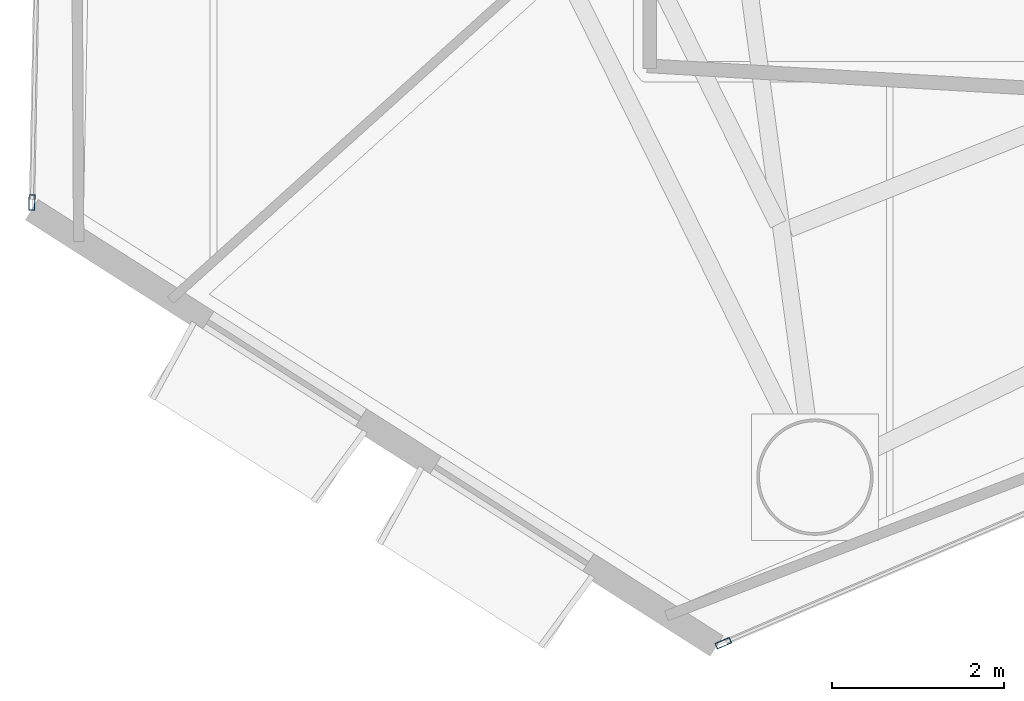
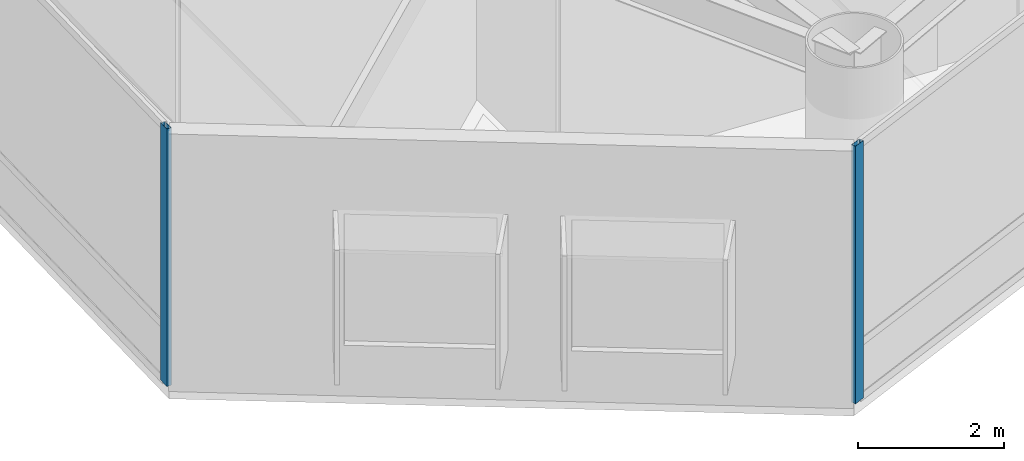
# One storey, part 2 of 21: 2 members, 2 elements without a shape of their own.
"""IFC4 building model written with IfcOpenShell, lengths in metres."""

from ifc_helpers import new_model, si_unit, direction, frame, origin, origin_2d, place, context, subcontext, project, spatial, hollow_rectangle, extrude, material, layer, layer_set, material_profile, profile_set, type_object, element, aggregate, save


model = new_model("IFC4")

# Units and contexts
model_context = context("Model", 3, precision=1e-05, world=origin(), true_north=direction((0.0, 1.0)))
body_context = subcontext(model_context, "Body", "Model", "MODEL_VIEW")
ifc_project = project(units=[si_unit("LENGTHUNIT", "METRE"), si_unit("AREAUNIT", "SQUARE_METRE"), si_unit("VOLUMEUNIT", "CUBIC_METRE"), si_unit("PLANEANGLEUNIT", "RADIAN"), si_unit("MASSUNIT", "GRAM", prefix="KILO")], contexts=[model_context])

# Site, building, storey
site_placement = place(None, origin())
site = spatial("IfcSite", under=ifc_project, at=site_placement, CompositionType="ELEMENT")
building_placement = place(site_placement, origin())
building = spatial("IfcBuilding", under=site, at=building_placement, Name="Qianvela Tower", CompositionType="ELEMENT")
storey_placement = place(building_placement, frame((0.0, 0.0, 143.10009765625)))
storey = spatial("IfcBuildingStorey", under=building, at=storey_placement, Name="L36", CompositionType="ELEMENT", Elevation=143.10009765625)

# Curtain wall, member
ifc_material_1 = material(Name="Anodised Architectural Aluminium and Low-E Glass", Category="aluminium")
ifc_layer = layer(ifc_material_1, 0.18994140625)
ifc_layer_set = layer_set([ifc_layer], Name="Anodised Architectural Aluminium and Low-E Glass")
curtain_wall_type = type_object("IfcCurtainWallType", Name="CW-SKYLOBBY", PredefinedType="USERDEFINED", material=ifc_layer_set)
curtain_wall_1_placement = place(storey_placement, origin())
curtain_wall_1 = element("IfcCurtainWall", 1, at=curtain_wall_1_placement, inside=storey, type_object=curtain_wall_type, Name="L36 CW-SKYLOBBY Curtain Wall 04C", ObjectType="CURTAIN_WALL_SYSTEM", PredefinedType="USERDEFINED")
ifc_material_2 = material(Name="Anodised Architectural Aluminium 6063-T6", Category="aluminium")
ifc_material_profile = material_profile(ifc_material_2, hollow_rectangle(XDim=0.070068359375, YDim=0.179931640625, WallThickness=0.0048828125, at=origin_2d()), Name="ALU-MULL-70x180")
ifc_profile_set = profile_set([ifc_material_profile], Name="Anodised Architectural Aluminium 6063-T6")
member_type = type_object("IfcMemberType", Name="CW-SKYLOBBY-MULL", PredefinedType="MULLION", material=ifc_profile_set)
member_1_placement = place(storey_placement, frame((21.263916015625, 14.09619140625, 0.0), z_axis=(0.0, 0.0, 1.0), x_axis=(0.999808915851, -0.019548191335, 0.0)))
member_1 = element("IfcMember", 2, at=member_1_placement, type_object=member_type, Name="CW-7 mullion 2", PredefinedType="MULLION", context=body_context, shape_type="SweptSolid", body=[
    extrude(hollow_rectangle(XDim=0.070068359375, YDim=0.179931640625, WallThickness=0.0048828125, at=origin_2d()), origin(), (0.0, 0.0, 1.0), 4.31982421875),
])
aggregate(curtain_wall_1, [member_1])

curtain_wall_2_placement = place(storey_placement, origin())
curtain_wall_2 = element("IfcCurtainWall", 3, at=curtain_wall_2_placement, inside=storey, type_object=curtain_wall_type, Name="L36 CW-SKYLOBBY Curtain Wall 06A", ObjectType="CURTAIN_WALL_SYSTEM", PredefinedType="USERDEFINED")
member_2_placement = place(storey_placement, frame((29.28369140625, 8.98291015625, 0.0), z_axis=(0.0, 0.0, 1.0), x_axis=(-0.39446919021, 0.918909167423, 0.0)))
member_2 = element("IfcMember", 4, at=member_2_placement, type_object=member_type, Name="CW-7 mullion 1", PredefinedType="MULLION", context=body_context, shape_type="SweptSolid", body=[
    extrude(hollow_rectangle(XDim=0.070068359375, YDim=0.179931640625, WallThickness=0.0048828125, at=origin_2d()), origin(), (0.0, 0.0, 1.0), 4.31982421875),
])
aggregate(curtain_wall_2, [member_2])

save(model, "model.ifc")
